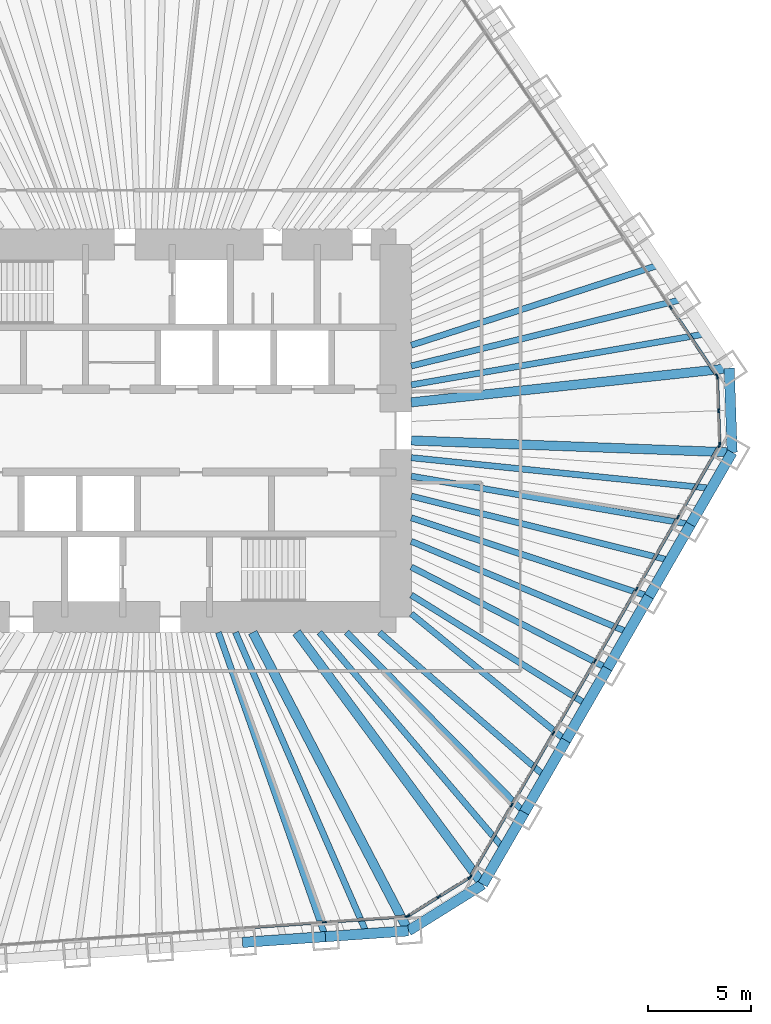
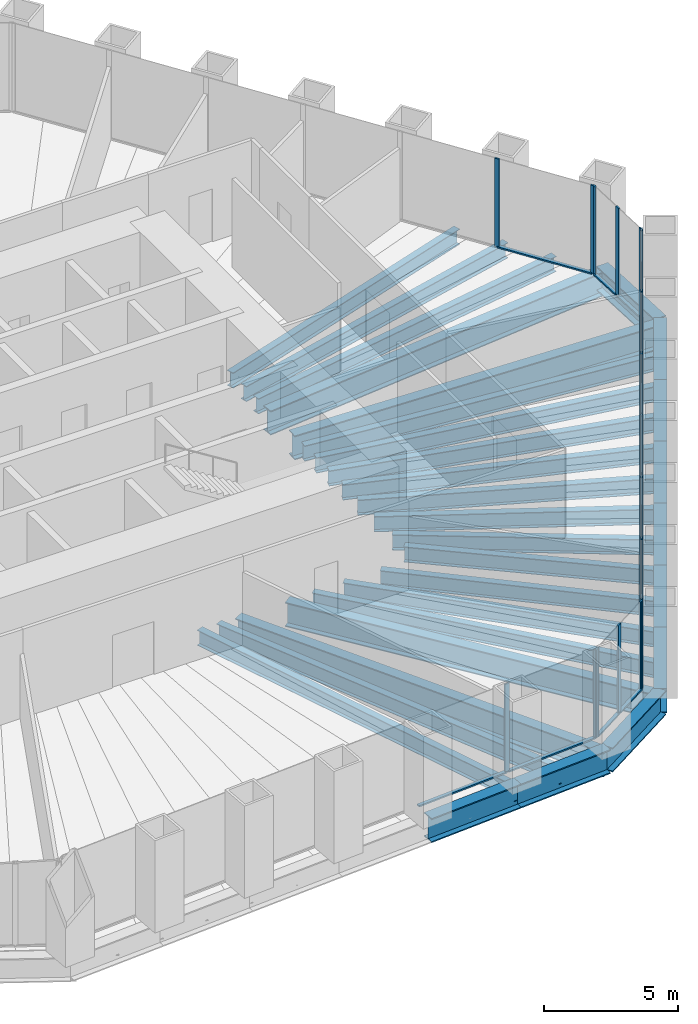
# One storey, part 4 of 13: 30 beams, 30 members, 5 elements without a shape of their own.
"""IFC4 building model written with IfcOpenShell, lengths in metres."""

from ifc_helpers import new_model, si_unit, direction, frame, origin, origin_2d, place, context, subcontext, project, spatial, rectangle, i_section, extrude, material, material_profile, profile_set, type_object, element, aggregate, save


model = new_model("IFC4")

# Units and contexts
model_context = context("Model", 3, precision=1e-05, world=origin(), true_north=direction((0.0, 1.0)))
body_context = subcontext(model_context, "Body", "Model", "MODEL_VIEW")
ifc_project = project(units=[si_unit("LENGTHUNIT", "METRE"), si_unit("AREAUNIT", "SQUARE_METRE"), si_unit("VOLUMEUNIT", "CUBIC_METRE"), si_unit("PLANEANGLEUNIT", "RADIAN"), si_unit("MASSUNIT", "GRAM", prefix="KILO")], contexts=[model_context])

# Site, building, storey
site_placement = place(None, origin())
site = spatial("IfcSite", under=ifc_project, at=site_placement, CompositionType="ELEMENT")
building_placement = place(site_placement, origin())
building = spatial("IfcBuilding", under=site, at=building_placement, Name="Qingtian Harvest Tower", CompositionType="ELEMENT")
storey_placement = place(building_placement, frame((0.0, 0.0, 149.199951171875)))
storey = spatial("IfcBuildingStorey", under=building, at=storey_placement, Name="L31", CompositionType="ELEMENT", Elevation=149.199951171875)

# Beams
ifc_material_1 = material(Name="Steel SM570MC", Category="steel")
ifc_material_profile_1 = material_profile(ifc_material_1, i_section(OverallWidth=0.449951171875, OverallDepth=1.10009765625, WebThickness=0.02197265625, FlangeThickness=0.044921875, at=origin_2d()), Name="H1100x450x22x45")
ifc_profile_set_1 = profile_set([ifc_material_profile_1], Name="Steel SM570MC")
beam_type_1 = type_object("IfcBeamType", Name="Corner floor beam FB8 H1100x450x22x45", PredefinedType="BEAM", material=ifc_profile_set_1)
beam_1_placement = place(storey_placement, frame((28.119384765625, 3.0185546875, -0.719970703125), z_axis=(-0.994287324052, -0.106736672374, 0.0), x_axis=(0.106736672374, -0.994287324052, 0.0)))
element("IfcBeam", 1, at=beam_1_placement, inside=storey, type_object=beam_type_1, Name="Floor beam FB8 NE6", PredefinedType="BEAM", context=body_context, shape_type="SweptSolid", body=[
    extrude(i_section(OverallWidth=0.449951171875, OverallDepth=1.10009765625, WebThickness=0.02197265625, FlangeThickness=0.044921875, at=origin_2d()), origin(), (0.0, 0.0, 1.0), 15.457763671875),
])
beam_2_placement = place(storey_placement, frame((28.261474609375, -1.049560546875, -0.719970703125), z_axis=(-0.999311425285, 0.03710357523, 0.0), x_axis=(-0.03710357523, -0.999311425285, 0.0)))
element("IfcBeam", 2, at=beam_2_placement, inside=storey, type_object=beam_type_1, Name="Floor beam FB8 SE0", PredefinedType="BEAM", context=body_context, shape_type="SweptSolid", body=[
    extrude(i_section(OverallWidth=0.449951171875, OverallDepth=1.10009765625, WebThickness=0.02197265625, FlangeThickness=0.044921875, at=origin_2d()), origin(), (0.0, 0.0, 1.0), 15.522216796875),
])
beam_3_placement = place(storey_placement, frame((16.204345703125, -21.933349609375, -0.719970703125), z_axis=(-0.594215666968, 0.804305751023, 0.0), x_axis=(-0.804305751023, -0.594215666968, 0.0)))
element("IfcBeam", 3, at=beam_3_placement, inside=storey, type_object=beam_type_1, Name="Floor beam FB8 SE6", PredefinedType="BEAM", context=body_context, shape_type="SweptSolid", body=[
    extrude(i_section(OverallWidth=0.449951171875, OverallDepth=1.10009765625, WebThickness=0.02197265625, FlangeThickness=0.044921875, at=origin_2d()), origin(), (0.0, 0.0, 1.0), 15.147705078125),
])
beam_4_placement = place(storey_placement, frame((12.610107421875, -24.17919921875, -0.719970703125), z_axis=(-0.462414751295, 0.886663745613, 0.0), x_axis=(-0.886663745613, -0.462414751295, 0.0)))
element("IfcBeam", 4, at=beam_4_placement, inside=storey, type_object=beam_type_1, Name="Floor beam FB8 S0", PredefinedType="BEAM", context=body_context, shape_type="SweptSolid", body=[
    extrude(i_section(OverallWidth=0.449951171875, OverallDepth=1.10009765625, WebThickness=0.02197265625, FlangeThickness=0.044921875, at=origin_2d()), origin(), (0.0, 0.0, 1.0), 16.273681640625),
])
ifc_material_2 = material(Name="Steel SN490B", Category="steel")
ifc_material_profile_2 = material_profile(ifc_material_2, i_section(OverallWidth=0.300048828125, OverallDepth=0.699951171875, WebThickness=0.012939453125, FlangeThickness=0.02392578125, at=origin_2d()), Name="H700x300x13x24")
ifc_profile_set_2 = profile_set([ifc_material_profile_2], Name="Steel SN490B")
beam_type_2 = type_object("IfcBeamType", Name="Floor beam FB2 H700x300x13x24", PredefinedType="BEAM", material=ifc_profile_set_2)
beam_5_placement = place(storey_placement, frame((25.8720703125, 6.3505859375, -0.52001953125), z_axis=(-0.971170997483, -0.2383839207, 0.0), x_axis=(0.2383839207, -0.971170997483, 0.0)))
element("IfcBeam", 5, at=beam_5_placement, inside=storey, type_object=beam_type_2, Name="Floor beam FB2 NE5", PredefinedType="BEAM", context=body_context, shape_type="SweptSolid", body=[
    extrude(i_section(OverallWidth=0.300048828125, OverallDepth=0.699951171875, WebThickness=0.012939453125, FlangeThickness=0.02392578125, at=origin_2d()), origin(), (0.0, 0.0, 1.0), 13.511474609375),
])
beam_6_placement = place(storey_placement, frame((26.251953125, -4.5302734375, -0.52001953125), z_axis=(-0.985433767107, 0.170059667895, 0.0), x_axis=(-0.170059667895, -0.985433767107, 0.0)))
element("IfcBeam", 6, at=beam_6_placement, inside=storey, type_object=beam_type_2, Name="Floor beam FB2 SE1", PredefinedType="BEAM", context=body_context, shape_type="SweptSolid", body=[
    extrude(i_section(OverallWidth=0.300048828125, OverallDepth=0.699951171875, WebThickness=0.012939453125, FlangeThickness=0.02392578125, at=origin_2d()), origin(), (0.0, 0.0, 1.0), 13.701416015625),
])
beam_7_placement = place(storey_placement, frame((24.242431640625, -8.010986328125, -0.52001953125), z_axis=(-0.949497047328, 0.31377596644, 0.0), x_axis=(-0.31377596644, -0.949497047328, 0.0)))
element("IfcBeam", 7, at=beam_7_placement, inside=storey, type_object=beam_type_2, Name="Floor beam FB2 SE2", PredefinedType="BEAM", context=body_context, shape_type="SweptSolid", body=[
    extrude(i_section(OverallWidth=0.300048828125, OverallDepth=0.699951171875, WebThickness=0.012939453125, FlangeThickness=0.02392578125, at=origin_2d()), origin(), (0.0, 0.0, 1.0), 12.103759765625),
])
beam_8_placement = place(storey_placement, frame((22.23291015625, -11.491455078125, -0.52001953125), z_axis=(-0.888354700773, 0.459157843899, 0.0), x_axis=(-0.459157843899, -0.888354700773, 0.0)))
element("IfcBeam", 8, at=beam_8_placement, inside=storey, type_object=beam_type_2, Name="Floor beam FB2 SE3", PredefinedType="BEAM", context=body_context, shape_type="SweptSolid", body=[
    extrude(i_section(OverallWidth=0.300048828125, OverallDepth=0.699951171875, WebThickness=0.012939453125, FlangeThickness=0.02392578125, at=origin_2d()), origin(), (0.0, 0.0, 1.0), 10.6748046875),
])
beam_9_placement = place(storey_placement, frame((20.223388671875, -14.97216796875, -0.52001953125), z_axis=(-0.773577716445, 0.633701441233, 0.0), x_axis=(-0.633701441233, -0.773577716445, 0.0)))
element("IfcBeam", 9, at=beam_9_placement, inside=storey, type_object=beam_type_2, Name="Floor beam FB2 SE4", PredefinedType="BEAM", context=body_context, shape_type="SweptSolid", body=[
    extrude(i_section(OverallWidth=0.300048828125, OverallDepth=0.699951171875, WebThickness=0.012939453125, FlangeThickness=0.02392578125, at=origin_2d()), origin(), (0.0, 0.0, 1.0), 9.660888671875),
])
beam_10_placement = place(storey_placement, frame((18.2138671875, -18.452880859375, -0.52001953125), z_axis=(-0.702479751847, 0.711703729262, 0.0), x_axis=(-0.711703729262, -0.702479751847, 0.0)))
element("IfcBeam", 10, at=beam_10_placement, inside=storey, type_object=beam_type_2, Name="Floor beam FB2 SE5", PredefinedType="BEAM", context=body_context, shape_type="SweptSolid", body=[
    extrude(i_section(OverallWidth=0.300048828125, OverallDepth=0.699951171875, WebThickness=0.012939453125, FlangeThickness=0.02392578125, at=origin_2d()), origin(), (0.0, 0.0, 1.0), 12.228271484375),
])
beam_11_placement = place(storey_placement, frame((8.600830078125, -24.459716796875, -0.52001953125), z_axis=(-0.331719146802, 0.943378189087, 0.0), x_axis=(-0.943378189087, -0.331719146802, 0.0)))
element("IfcBeam", 11, at=beam_11_placement, inside=storey, type_object=beam_type_2, Name="Floor beam FB2 S1", PredefinedType="BEAM", context=body_context, shape_type="SweptSolid", body=[
    extrude(i_section(OverallWidth=0.300048828125, OverallDepth=0.699951171875, WebThickness=0.012939453125, FlangeThickness=0.02392578125, at=origin_2d()), origin(), (0.0, 0.0, 1.0), 15.592529296875),
])
ifc_material_3 = material(Name="Steel SN490B", Category="steel")
ifc_material_profile_3 = material_profile(ifc_material_3, i_section(OverallWidth=0.300048828125, OverallDepth=0.699951171875, WebThickness=0.012939453125, FlangeThickness=0.02392578125, at=origin_2d()), Name="H700x300x13x24")
ifc_profile_set_3 = profile_set([ifc_material_profile_3], Name="Steel SN490B")
beam_type_3 = type_object("IfcBeamType", Name="Floor joist J2 H700x300x13x24", PredefinedType="JOIST", material=ifc_profile_set_3)
beam_12_placement = place(storey_placement, frame((24.748291015625, 8.016357421875, -0.52001953125), z_axis=(-0.951335907519, -0.308155790249, 0.0), x_axis=(0.308155790249, -0.951335907519, 0.0)))
element("IfcBeam", 12, at=beam_12_placement, inside=storey, type_object=beam_type_3, Name="Floor joist J2 NE4", PredefinedType="JOIST", context=body_context, shape_type="SweptSolid", body=[
    extrude(i_section(OverallWidth=0.300048828125, OverallDepth=0.699951171875, WebThickness=0.012939453125, FlangeThickness=0.02392578125, at=origin_2d()), origin(), (0.0, 0.0, 1.0), 12.612060546875),
])
beam_13_placement = place(storey_placement, frame((26.99560546875, 4.6845703125, -0.52001953125), z_axis=(-0.985273903188, -0.17098343691, 0.0), x_axis=(0.17098343691, -0.985273903188, 0.0)))
element("IfcBeam", 13, at=beam_13_placement, inside=storey, type_object=beam_type_3, Name="Floor joist J2 NE5", PredefinedType="JOIST", context=body_context, shape_type="SweptSolid", body=[
    extrude(i_section(OverallWidth=0.300048828125, OverallDepth=0.699951171875, WebThickness=0.012939453125, FlangeThickness=0.02392578125, at=origin_2d()), origin(), (0.0, 0.0, 1.0), 14.45849609375),
])
beam_14_placement = place(storey_placement, frame((27.2568359375, -2.7900390625, -0.52001953125), z_axis=(-0.994802418411, 0.101824104826, 0.0), x_axis=(-0.101824104826, -0.994802418411, 0.0)))
element("IfcBeam", 14, at=beam_14_placement, inside=storey, type_object=beam_type_3, Name="Floor joist J2 SE0", PredefinedType="JOIST", context=body_context, shape_type="SweptSolid", body=[
    extrude(i_section(OverallWidth=0.300048828125, OverallDepth=0.699951171875, WebThickness=0.012939453125, FlangeThickness=0.02392578125, at=origin_2d()), origin(), (0.0, 0.0, 1.0), 14.58251953125),
])
beam_15_placement = place(storey_placement, frame((25.247314453125, -6.2705078125, -0.52001953125), z_axis=(-0.970517179244, 0.241031958032, 0.0), x_axis=(-0.241031958032, -0.970517179244, 0.0)))
element("IfcBeam", 15, at=beam_15_placement, inside=storey, type_object=beam_type_3, Name="Floor joist J2 SE1", PredefinedType="JOIST", context=body_context, shape_type="SweptSolid", body=[
    extrude(i_section(OverallWidth=0.300048828125, OverallDepth=0.699951171875, WebThickness=0.012939453125, FlangeThickness=0.02392578125, at=origin_2d()), origin(), (0.0, 0.0, 1.0), 12.876953125),
])
beam_16_placement = place(storey_placement, frame((23.237548828125, -9.751220703125, -0.52001953125), z_axis=(-0.922104219626, 0.386941608189, 0.0), x_axis=(-0.386941608189, -0.922104219626, 0.0)))
element("IfcBeam", 16, at=beam_16_placement, inside=storey, type_object=beam_type_3, Name="Floor joist J2 SE2", PredefinedType="JOIST", context=body_context, shape_type="SweptSolid", body=[
    extrude(i_section(OverallWidth=0.300048828125, OverallDepth=0.699951171875, WebThickness=0.012939453125, FlangeThickness=0.02392578125, at=origin_2d()), origin(), (0.0, 0.0, 1.0), 11.37353515625),
])
beam_17_placement = place(storey_placement, frame((21.22802734375, -13.23193359375, -0.52001953125), z_axis=(-0.848631984892, 0.528983699389, 0.0), x_axis=(-0.528983699389, -0.848631984892, 0.0)))
element("IfcBeam", 17, at=beam_17_placement, inside=storey, type_object=beam_type_3, Name="Floor joist J2 SE3", PredefinedType="JOIST", context=body_context, shape_type="SweptSolid", body=[
    extrude(i_section(OverallWidth=0.300048828125, OverallDepth=0.699951171875, WebThickness=0.012939453125, FlangeThickness=0.02392578125, at=origin_2d()), origin(), (0.0, 0.0, 1.0), 9.990234375),
])
beam_18_placement = place(storey_placement, frame((19.218505859375, -16.71240234375, -0.52001953125), z_axis=(-0.754588679317, 0.656198083697, 0.0), x_axis=(-0.656198083697, -0.754588679317, 0.0)))
element("IfcBeam", 18, at=beam_18_placement, inside=storey, type_object=beam_type_3, Name="Floor joist J2 SE4", PredefinedType="JOIST", context=body_context, shape_type="SweptSolid", body=[
    extrude(i_section(OverallWidth=0.300048828125, OverallDepth=0.699951171875, WebThickness=0.012939453125, FlangeThickness=0.02392578125, at=origin_2d()), origin(), (0.0, 0.0, 1.0), 10.610107421875),
])
beam_19_placement = place(storey_placement, frame((17.208984375, -20.193115234375, -0.52001953125), z_axis=(-0.648631797865, 0.76110235238, 0.0), x_axis=(-0.76110235238, -0.648631797865, 0.0)))
element("IfcBeam", 19, at=beam_19_placement, inside=storey, type_object=beam_type_3, Name="Floor joist J2 SE5", PredefinedType="JOIST", context=body_context, shape_type="SweptSolid", body=[
    extrude(i_section(OverallWidth=0.300048828125, OverallDepth=0.699951171875, WebThickness=0.012939453125, FlangeThickness=0.02392578125, at=origin_2d()), origin(), (0.0, 0.0, 1.0), 13.720947265625),
])
beam_20_placement = place(storey_placement, frame((10.60546875, -24.3193359375, -0.52001953125), z_axis=(-0.399732363577, 0.916631898588, 0.0), x_axis=(-0.916631898588, -0.399732363577, 0.0)))
element("IfcBeam", 20, at=beam_20_placement, inside=storey, type_object=beam_type_3, Name="Floor joist J2 S0", PredefinedType="JOIST", context=body_context, shape_type="SweptSolid", body=[
    extrude(i_section(OverallWidth=0.300048828125, OverallDepth=0.699951171875, WebThickness=0.012939453125, FlangeThickness=0.02392578125, at=origin_2d()), origin(), (0.0, 0.0, 1.0), 15.89453125),
])

# Curtain wall, members
ifc_material_4 = material(Name="Bronze-anodised aluminium curtain wall", Category="aluminium")
curtain_wall_type = type_object("IfcCurtainWallType", Name="Curtain wall CW4 office", PredefinedType="USERDEFINED", material=ifc_material_4)
curtain_wall_1_placement = place(storey_placement, origin())
curtain_wall_1 = element("IfcCurtainWall", 21, at=curtain_wall_1_placement, inside=storey, type_object=curtain_wall_type, Name="Curtain wall CW4 L31 NE0-5", ObjectType="RECESSED CURTAIN WALL", PredefinedType="USERDEFINED")
ifc_material_5 = material(Name="Bronze-anodised aluminium mullion", Category="aluminium")
ifc_material_profile_4 = material_profile(ifc_material_5, rectangle(XDim=0.06494140625, YDim=0.199951171875, at=origin_2d()), Name="AL 65x200")
ifc_profile_set_4 = profile_set([ifc_material_profile_4], Name="Bronze-anodised aluminium mullion")
member_type_1 = type_object("IfcMemberType", Name="Mullion CWM 65x200", PredefinedType="MULLION", material=ifc_profile_set_4)
member_1_placement = place(storey_placement, frame((25.291748046875, 5.958984375, 0.0), z_axis=(0.0, 0.0, 1.0), x_axis=(0.829037572555, 0.559192903471, 0.0)))
member_1 = element("IfcMember", 22, at=member_1_placement, type_object=member_type_1, Name="CW4 mullion 6", PredefinedType="MULLION", context=body_context, shape_type="SweptSolid", body=[
    extrude(rectangle(XDim=0.06494140625, YDim=0.199951171875, at=origin_2d()), origin(), (0.0, 0.0, 1.0), 4.030029296875),
])
member_2_placement = place(storey_placement, frame((27.52099609375, 2.654052734375, 0.0), z_axis=(0.0, 0.0, 1.0), x_axis=(0.829037572555, 0.559192903471, 0.0)))
member_2 = element("IfcMember", 23, at=member_2_placement, type_object=member_type_1, Name="CW4 mullion 7", PredefinedType="MULLION", context=body_context, shape_type="SweptSolid", body=[
    extrude(rectangle(XDim=0.06494140625, YDim=0.199951171875, at=origin_2d()), origin(), (0.0, 0.0, 1.0), 4.030029296875),
])

curtain_wall_2_placement = place(storey_placement, origin())
curtain_wall_2 = element("IfcCurtainWall", 24, at=curtain_wall_2_placement, inside=storey, type_object=curtain_wall_type, Name="Curtain wall CW4 L31 NEC", ObjectType="RECESSED CURTAIN WALL", PredefinedType="USERDEFINED")
member_3_placement = place(storey_placement, frame((27.540283203125, 2.594482421875, 0.0), z_axis=(0.0, 0.0, 1.0), x_axis=(0.999390827019, 0.034899496703, 0.0)))
member_3 = element("IfcMember", 25, at=member_3_placement, type_object=member_type_1, Name="CW4 mullion 1", PredefinedType="MULLION", context=body_context, shape_type="SweptSolid", body=[
    extrude(rectangle(XDim=0.06494140625, YDim=0.199951171875, at=origin_2d()), origin(), (0.0, 0.0, 1.0), 4.030029296875),
])
member_4_placement = place(storey_placement, frame((27.59716796875, 0.963623046875, 0.0), z_axis=(0.0, 0.0, 1.0), x_axis=(0.999390827019, 0.034899496703, 0.0)))
member_4 = element("IfcMember", 26, at=member_4_placement, type_object=member_type_1, Name="CW4 mullion 2", PredefinedType="MULLION", context=body_context, shape_type="SweptSolid", body=[
    extrude(rectangle(XDim=0.06494140625, YDim=0.199951171875, at=origin_2d()), origin(), (0.0, 0.0, 1.0), 4.030029296875),
])
member_5_placement = place(storey_placement, frame((27.654052734375, -0.667236328125, 0.0), z_axis=(0.0, 0.0, 1.0), x_axis=(0.999390827019, 0.034899496703, 0.0)))
member_5 = element("IfcMember", 27, at=member_5_placement, type_object=member_type_1, Name="CW4 mullion 3", PredefinedType="MULLION", context=body_context, shape_type="SweptSolid", body=[
    extrude(rectangle(XDim=0.06494140625, YDim=0.199951171875, at=origin_2d()), origin(), (0.0, 0.0, 1.0), 4.030029296875),
])

curtain_wall_3_placement = place(storey_placement, origin())
curtain_wall_3 = element("IfcCurtainWall", 28, at=curtain_wall_3_placement, inside=storey, type_object=curtain_wall_type, Name="Curtain wall CW4 L31 SE0-5", ObjectType="RECESSED CURTAIN WALL", PredefinedType="USERDEFINED")
member_6_placement = place(storey_placement, frame((27.638916015625, -0.727783203125, 0.0), z_axis=(0.0, 0.0, 1.0), x_axis=(0.866025403784, -0.5, 0.0)))
member_6 = element("IfcMember", 29, at=member_6_placement, type_object=member_type_1, Name="CW4 mullion 1", PredefinedType="MULLION", context=body_context, shape_type="SweptSolid", body=[
    extrude(rectangle(XDim=0.06494140625, YDim=0.199951171875, at=origin_2d()), origin(), (0.0, 0.0, 1.0), 4.030029296875),
])
member_7_placement = place(storey_placement, frame((25.645751953125, -4.18017578125, 0.0), z_axis=(0.0, 0.0, 1.0), x_axis=(0.866025403784, -0.5, 0.0)))
member_7 = element("IfcMember", 30, at=member_7_placement, type_object=member_type_1, Name="CW4 mullion 2", PredefinedType="MULLION", context=body_context, shape_type="SweptSolid", body=[
    extrude(rectangle(XDim=0.06494140625, YDim=0.199951171875, at=origin_2d()), origin(), (0.0, 0.0, 1.0), 4.030029296875),
])
member_8_placement = place(storey_placement, frame((23.63623046875, -7.660888671875, 0.0), z_axis=(0.0, 0.0, 1.0), x_axis=(0.866025403784, -0.5, 0.0)))
member_8 = element("IfcMember", 31, at=member_8_placement, type_object=member_type_1, Name="CW4 mullion 3", PredefinedType="MULLION", context=body_context, shape_type="SweptSolid", body=[
    extrude(rectangle(XDim=0.06494140625, YDim=0.199951171875, at=origin_2d()), origin(), (0.0, 0.0, 1.0), 4.030029296875),
])
member_9_placement = place(storey_placement, frame((21.626708984375, -11.1416015625, 0.0), z_axis=(0.0, 0.0, 1.0), x_axis=(0.866025403784, -0.5, 0.0)))
member_9 = element("IfcMember", 32, at=member_9_placement, type_object=member_type_1, Name="CW4 mullion 4", PredefinedType="MULLION", context=body_context, shape_type="SweptSolid", body=[
    extrude(rectangle(XDim=0.06494140625, YDim=0.199951171875, at=origin_2d()), origin(), (0.0, 0.0, 1.0), 4.030029296875),
])
member_10_placement = place(storey_placement, frame((19.6171875, -14.6220703125, 0.0), z_axis=(0.0, 0.0, 1.0), x_axis=(0.866025403784, -0.5, 0.0)))
member_10 = element("IfcMember", 33, at=member_10_placement, type_object=member_type_1, Name="CW4 mullion 5", PredefinedType="MULLION", context=body_context, shape_type="SweptSolid", body=[
    extrude(rectangle(XDim=0.06494140625, YDim=0.199951171875, at=origin_2d()), origin(), (0.0, 0.0, 1.0), 4.030029296875),
])
member_11_placement = place(storey_placement, frame((17.607666015625, -18.102783203125, 0.0), z_axis=(0.0, 0.0, 1.0), x_axis=(0.866025403784, -0.5, 0.0)))
member_11 = element("IfcMember", 34, at=member_11_placement, type_object=member_type_1, Name="CW4 mullion 6", PredefinedType="MULLION", context=body_context, shape_type="SweptSolid", body=[
    extrude(rectangle(XDim=0.06494140625, YDim=0.199951171875, at=origin_2d()), origin(), (0.0, 0.0, 1.0), 4.030029296875),
])
member_12_placement = place(storey_placement, frame((15.6142578125, -21.55517578125, 0.0), z_axis=(0.0, 0.0, 1.0), x_axis=(0.866025403784, -0.5, 0.0)))
member_12 = element("IfcMember", 35, at=member_12_placement, type_object=member_type_1, Name="CW4 mullion 7", PredefinedType="MULLION", context=body_context, shape_type="SweptSolid", body=[
    extrude(rectangle(XDim=0.06494140625, YDim=0.199951171875, at=origin_2d()), origin(), (0.0, 0.0, 1.0), 4.030029296875),
])

curtain_wall_4_placement = place(storey_placement, origin())
curtain_wall_4 = element("IfcCurtainWall", 36, at=curtain_wall_4_placement, inside=storey, type_object=curtain_wall_type, Name="Curtain wall CW4 L31 SEC", ObjectType="RECESSED CURTAIN WALL", PredefinedType="USERDEFINED")
member_13_placement = place(storey_placement, frame((15.570556640625, -21.6005859375, 0.0), z_axis=(0.0, 0.0, 1.0), x_axis=(0.529919264233, -0.848048096156, 0.0)))
member_13 = element("IfcMember", 37, at=member_13_placement, type_object=member_type_1, Name="CW4 mullion 1", PredefinedType="MULLION", context=body_context, shape_type="SweptSolid", body=[
    extrude(rectangle(XDim=0.06494140625, YDim=0.199951171875, at=origin_2d()), origin(), (0.0, 0.0, 1.0), 4.030029296875),
])
member_14_placement = place(storey_placement, frame((14.07958984375, -22.5322265625, 0.0), z_axis=(0.0, 0.0, 1.0), x_axis=(0.529919264233, -0.848048096156, 0.0)))
member_14 = element("IfcMember", 38, at=member_14_placement, type_object=member_type_1, Name="CW4 mullion 2", PredefinedType="MULLION", context=body_context, shape_type="SweptSolid", body=[
    extrude(rectangle(XDim=0.06494140625, YDim=0.199951171875, at=origin_2d()), origin(), (0.0, 0.0, 1.0), 4.030029296875),
])
member_15_placement = place(storey_placement, frame((12.5888671875, -23.4638671875, 0.0), z_axis=(0.0, 0.0, 1.0), x_axis=(0.529919264233, -0.848048096156, 0.0)))
member_15 = element("IfcMember", 39, at=member_15_placement, type_object=member_type_1, Name="CW4 mullion 3", PredefinedType="MULLION", context=body_context, shape_type="SweptSolid", body=[
    extrude(rectangle(XDim=0.06494140625, YDim=0.199951171875, at=origin_2d()), origin(), (0.0, 0.0, 1.0), 4.030029296875),
])

curtain_wall_5_placement = place(storey_placement, origin())
curtain_wall_5 = element("IfcCurtainWall", 40, at=curtain_wall_5_placement, inside=storey, type_object=curtain_wall_type, Name="Curtain wall CW4 L31 S0-5", ObjectType="RECESSED CURTAIN WALL", PredefinedType="USERDEFINED")
member_16_placement = place(storey_placement, frame((12.52880859375, -23.483154296875, 0.0), z_axis=(0.0, 0.0, 1.0), x_axis=(0.069756473744, -0.99756405026, 0.0)))
member_16 = element("IfcMember", 41, at=member_16_placement, type_object=member_type_1, Name="CW4 mullion 1", PredefinedType="MULLION", context=body_context, shape_type="SweptSolid", body=[
    extrude(rectangle(XDim=0.06494140625, YDim=0.199951171875, at=origin_2d()), origin(), (0.0, 0.0, 1.0), 4.030029296875),
])
member_17_placement = place(storey_placement, frame((8.552001953125, -23.76123046875, 0.0), z_axis=(0.0, 0.0, 1.0), x_axis=(0.069756473744, -0.99756405026, 0.0)))
member_17 = element("IfcMember", 42, at=member_17_placement, type_object=member_type_1, Name="CW4 mullion 2", PredefinedType="MULLION", context=body_context, shape_type="SweptSolid", body=[
    extrude(rectangle(XDim=0.06494140625, YDim=0.199951171875, at=origin_2d()), origin(), (0.0, 0.0, 1.0), 4.030029296875),
])

# Beams
ifc_material_6 = material(Name="Steel SM570MC", Category="steel")
ifc_material_profile_5 = material_profile(ifc_material_6, i_section(OverallWidth=0.5, OverallDepth=1.10009765625, WebThickness=0.02490234375, FlangeThickness=0.050048828125, at=origin_2d()), Name="H1100x500x25x50")
ifc_profile_set_5 = profile_set([ifc_material_profile_5], Name="Steel SM570MC")
beam_type_4 = type_object("IfcBeamType", Name="Spandrel beam SB2 H1100x500x25x50", PredefinedType="SPANDREL", material=ifc_profile_set_5)
beam_21_placement = place(storey_placement, frame((28.119384765625, 3.0185546875, -0.550048828125), z_axis=(0.03490639867, -0.999390585973, 0.0), x_axis=(0.999390585973, 0.03490639867, 0.0)))
element("IfcBeam", 43, at=beam_21_placement, inside=storey, type_object=beam_type_4, Name="Spandrel SB2 NEC", PredefinedType="SPANDREL", context=body_context, shape_type="SweptSolid", body=[
    extrude(i_section(OverallWidth=0.5, OverallDepth=1.10009765625, WebThickness=0.02490234375, FlangeThickness=0.050048828125, at=origin_2d()), origin(), (0.0, 0.0, 1.0), 4.070556640625),
])
for number, where, z_axis, x_axis, name in (
    (44, (28.261474609375, -1.049560546875, -0.550048828125), (-0.499987116613, -0.866032841884, 0.0), (0.866032841884, -0.499987116613, 0.0), "Spandrel SB2 SE0"),
    (45, (26.251953125, -4.5302734375, -0.550048828125), (-0.499987116613, -0.866032841884, 0.0), (0.866032841884, -0.499987116613, 0.0), "Spandrel SB2 SE1"),
    (46, (24.242431640625, -8.010986328125, -0.550048828125), (-0.500013420409, -0.866017655369, 0.0), (0.866017655369, -0.500013420409, 0.0), "Spandrel SB2 SE2"),
    (47, (22.23291015625, -11.491455078125, -0.550048828125), (-0.499987116613, -0.866032841884, 0.0), (0.866032841884, -0.499987116613, 0.0), "Spandrel SB2 SE3"),
    (48, (20.223388671875, -14.97216796875, -0.550048828125), (-0.499987116613, -0.866032841884, 0.0), (0.866032841884, -0.499987116613, 0.0), "Spandrel SB2 SE4"),
    (49, (18.2138671875, -18.452880859375, -0.550048828125), (-0.500013420409, -0.866017655369, 0.0), (0.866017655369, -0.500013420409, 0.0), "Spandrel SB2 SE5"),
):
    element("IfcBeam", number, at=place(storey_placement, frame(where, z_axis=z_axis, x_axis=x_axis)), inside=storey, type_object=beam_type_4, Name=name, PredefinedType="SPANDREL", context=body_context, shape_type="SweptSolid", body=[
        extrude(i_section(OverallWidth=0.5, OverallDepth=1.10009765625, WebThickness=0.02490234375, FlangeThickness=0.050048828125, at=origin_2d()), origin(), (0.0, 0.0, 1.0), 4.01904296875),
    ])
beam_22_placement = place(storey_placement, frame((16.204345703125, -21.933349609375, -0.550048828125), z_axis=(-0.848056550838, -0.529905733675, 0.0), x_axis=(0.529905733675, -0.848056550838, 0.0)))
element("IfcBeam", 50, at=beam_22_placement, inside=storey, type_object=beam_type_4, Name="Spandrel SB2 SEC", PredefinedType="SPANDREL", context=body_context, shape_type="SweptSolid", body=[
    extrude(i_section(OverallWidth=0.5, OverallDepth=1.10009765625, WebThickness=0.02490234375, FlangeThickness=0.050048828125, at=origin_2d()), origin(), (0.0, 0.0, 1.0), 4.23828125),
])
for number, where, z_axis, x_axis, name in (
    (51, (12.610107421875, -24.17919921875, -0.550048828125), (-0.997561251588, -0.069796485086, 0.0), (0.069796485086, -0.997561251588, 0.0), "Spandrel SB2 S0"),
    (52, (8.600830078125, -24.459716796875, -0.550048828125), (-0.997565479251, -0.069736035208, 0.0), (0.069736035208, -0.997565479251, 0.0), "Spandrel SB2 S1"),
):
    element("IfcBeam", number, at=place(storey_placement, frame(where, z_axis=z_axis, x_axis=x_axis)), inside=storey, type_object=beam_type_4, Name=name, PredefinedType="SPANDREL", context=body_context, shape_type="SweptSolid", body=[
        extrude(i_section(OverallWidth=0.5, OverallDepth=1.10009765625, WebThickness=0.02490234375, FlangeThickness=0.050048828125, at=origin_2d()), origin(), (0.0, 0.0, 1.0), 4.01904296875),
    ])

# Member
ifc_material_7 = material(Name="Bronze-anodised aluminium transom", Category="aluminium")
ifc_material_profile_6 = material_profile(ifc_material_7, rectangle(XDim=0.14990234375, YDim=0.06494140625, at=origin_2d()), Name="AL 65x150")
ifc_profile_set_6 = profile_set([ifc_material_profile_6], Name="Bronze-anodised aluminium transom")
member_type_2 = type_object("IfcMemberType", Name="Transom CWT 65x150", PredefinedType="USERDEFINED", material=ifc_profile_set_6)
member_18_placement = place(storey_placement, frame((25.309814453125, 5.93212890625, 0.032470703125), z_axis=(0.559174507936, -0.829049980203, 0.0), x_axis=(0.829049980203, 0.559174507936, 0.0)))
member_18 = element("IfcMember", 53, at=member_18_placement, type_object=member_type_2, Name="CW4 transom 6.1", ObjectType="TRANSOM", PredefinedType="USERDEFINED", context=body_context, shape_type="SweptSolid", body=[
    extrude(rectangle(XDim=0.14990234375, YDim=0.06494140625, at=origin_2d()), origin(), (0.0, 0.0, 1.0), 3.921630859375),
])

aggregate(curtain_wall_1, [member_1, member_2, member_18])

member_19_placement = place(storey_placement, frame((27.541259765625, 2.56201171875, 0.032470703125), z_axis=(0.034902326647, -0.999390728191, 0.0), x_axis=(0.999390728191, 0.034902326647, 0.0)))
member_19 = element("IfcMember", 54, at=member_19_placement, type_object=member_type_2, Name="CW4 transom 1.1", ObjectType="TRANSOM", PredefinedType="USERDEFINED", context=body_context, shape_type="SweptSolid", body=[
    extrude(rectangle(XDim=0.14990234375, YDim=0.06494140625, at=origin_2d()), origin(), (0.0, 0.0, 1.0), 1.56689453125),
])

member_20_placement = place(storey_placement, frame((27.598388671875, 0.93115234375, 0.032470703125), z_axis=(0.034902326647, -0.999390728191, 0.0), x_axis=(0.999390728191, 0.034902326647, 0.0)))
member_20 = element("IfcMember", 55, at=member_20_placement, type_object=member_type_2, Name="CW4 transom 2.1", ObjectType="TRANSOM", PredefinedType="USERDEFINED", context=body_context, shape_type="SweptSolid", body=[
    extrude(rectangle(XDim=0.14990234375, YDim=0.06494140625, at=origin_2d()), origin(), (0.0, 0.0, 1.0), 1.56689453125),
])

aggregate(curtain_wall_2, [member_3, member_4, member_5, member_19, member_20])

member_21_placement = place(storey_placement, frame((27.622802734375, -0.755859375, 0.032470703125), z_axis=(-0.499975738995, -0.866039410429, 0.0), x_axis=(0.866039410429, -0.499975738995, 0.0)))
member_21 = element("IfcMember", 56, at=member_21_placement, type_object=member_type_2, Name="CW4 transom 1.1", ObjectType="TRANSOM", PredefinedType="USERDEFINED", context=body_context, shape_type="SweptSolid", body=[
    extrude(rectangle(XDim=0.14990234375, YDim=0.06494140625, at=origin_2d()), origin(), (0.0, 0.0, 1.0), 3.921630859375),
])

member_22_placement = place(storey_placement, frame((25.62939453125, -4.20849609375, 0.032470703125), z_axis=(-0.500003941941, -0.866023127892, 0.0), x_axis=(0.866023127892, -0.500003941941, 0.0)))
member_22 = element("IfcMember", 57, at=member_22_placement, type_object=member_type_2, Name="CW4 transom 2.1", ObjectType="TRANSOM", PredefinedType="USERDEFINED", context=body_context, shape_type="SweptSolid", body=[
    extrude(rectangle(XDim=0.14990234375, YDim=0.06494140625, at=origin_2d()), origin(), (0.0, 0.0, 1.0), 3.9541015625),
])

member_23_placement = place(storey_placement, frame((23.619873046875, -7.68896484375, 0.032470703125), z_axis=(-0.500003941941, -0.866023127892, 0.0), x_axis=(0.866023127892, -0.500003941941, 0.0)))
member_23 = element("IfcMember", 58, at=member_23_placement, type_object=member_type_2, Name="CW4 transom 3.1", ObjectType="TRANSOM", PredefinedType="USERDEFINED", context=body_context, shape_type="SweptSolid", body=[
    extrude(rectangle(XDim=0.14990234375, YDim=0.06494140625, at=origin_2d()), origin(), (0.0, 0.0, 1.0), 3.9541015625),
])

member_24_placement = place(storey_placement, frame((21.6103515625, -11.169677734375, 0.032470703125), z_axis=(-0.500003941941, -0.866023127892, 0.0), x_axis=(0.866023127892, -0.500003941941, 0.0)))
member_24 = element("IfcMember", 59, at=member_24_placement, type_object=member_type_2, Name="CW4 transom 4.1", ObjectType="TRANSOM", PredefinedType="USERDEFINED", context=body_context, shape_type="SweptSolid", body=[
    extrude(rectangle(XDim=0.14990234375, YDim=0.06494140625, at=origin_2d()), origin(), (0.0, 0.0, 1.0), 3.9541015625),
])

member_25_placement = place(storey_placement, frame((19.600830078125, -14.650390625, 0.032470703125), z_axis=(-0.500003941941, -0.866023127892, 0.0), x_axis=(0.866023127892, -0.500003941941, 0.0)))
member_25 = element("IfcMember", 60, at=member_25_placement, type_object=member_type_2, Name="CW4 transom 5.1", ObjectType="TRANSOM", PredefinedType="USERDEFINED", context=body_context, shape_type="SweptSolid", body=[
    extrude(rectangle(XDim=0.14990234375, YDim=0.06494140625, at=origin_2d()), origin(), (0.0, 0.0, 1.0), 3.9541015625),
])

member_26_placement = place(storey_placement, frame((17.59130859375, -18.130859375, 0.032470703125), z_axis=(-0.499975738995, -0.866039410429, 0.0), x_axis=(0.866039410429, -0.499975738995, 0.0)))
member_26 = element("IfcMember", 61, at=member_26_placement, type_object=member_type_2, Name="CW4 transom 6.1", ObjectType="TRANSOM", PredefinedType="USERDEFINED", context=body_context, shape_type="SweptSolid", body=[
    extrude(rectangle(XDim=0.14990234375, YDim=0.06494140625, at=origin_2d()), origin(), (0.0, 0.0, 1.0), 3.921630859375),
])

aggregate(curtain_wall_3, [member_6, member_7, member_8, member_9, member_10, member_11, member_12, member_21, member_22, member_23, member_24, member_25, member_26])

member_27_placement = place(storey_placement, frame((15.54296875, -21.617919921875, 0.032470703125), z_axis=(-0.848103609743, -0.529830413568, 0.0), x_axis=(0.529830413568, -0.848103609743, 0.0)))
member_27 = element("IfcMember", 62, at=member_27_placement, type_object=member_type_2, Name="CW4 transom 1.1", ObjectType="TRANSOM", PredefinedType="USERDEFINED", context=body_context, shape_type="SweptSolid", body=[
    extrude(rectangle(XDim=0.14990234375, YDim=0.06494140625, at=origin_2d()), origin(), (0.0, 0.0, 1.0), 1.69287109375),
])

member_28_placement = place(storey_placement, frame((14.052001953125, -22.54931640625, 0.032470703125), z_axis=(-0.847998304005, -0.529998940003, 0.0), x_axis=(0.529998940003, -0.847998304005, 0.0)))
member_28 = element("IfcMember", 63, at=member_28_placement, type_object=member_type_2, Name="CW4 transom 2.1", ObjectType="TRANSOM", PredefinedType="USERDEFINED", context=body_context, shape_type="SweptSolid", body=[
    extrude(rectangle(XDim=0.14990234375, YDim=0.06494140625, at=origin_2d()), origin(), (0.0, 0.0, 1.0), 1.69287109375),
])

aggregate(curtain_wall_4, [member_13, member_14, member_15, member_27, member_28])

member_29_placement = place(storey_placement, frame((12.496337890625, -23.485595703125, 0.032470703125), z_axis=(-0.99756594446, -0.069729380128, 0.0), x_axis=(0.069729380128, -0.99756594446, 0.0)))
member_29 = element("IfcMember", 64, at=member_29_placement, type_object=member_type_2, Name="CW4 transom 1.1", ObjectType="TRANSOM", PredefinedType="USERDEFINED", context=body_context, shape_type="SweptSolid", body=[
    extrude(rectangle(XDim=0.14990234375, YDim=0.06494140625, at=origin_2d()), origin(), (0.0, 0.0, 1.0), 3.92138671875),
])

member_30_placement = place(storey_placement, frame((8.51953125, -23.763671875, 0.032470703125), z_axis=(-0.997567218353, -0.069711153102, 0.0), x_axis=(0.069711153102, -0.997567218353, 0.0)))
member_30 = element("IfcMember", 65, at=member_30_placement, type_object=member_type_2, Name="CW4 transom 2.1", ObjectType="TRANSOM", PredefinedType="USERDEFINED", context=body_context, shape_type="SweptSolid", body=[
    extrude(rectangle(XDim=0.14990234375, YDim=0.06494140625, at=origin_2d()), origin(), (0.0, 0.0, 1.0), 3.953857421875),
])

aggregate(curtain_wall_5, [member_16, member_17, member_29, member_30])

save(model, "model.ifc")
